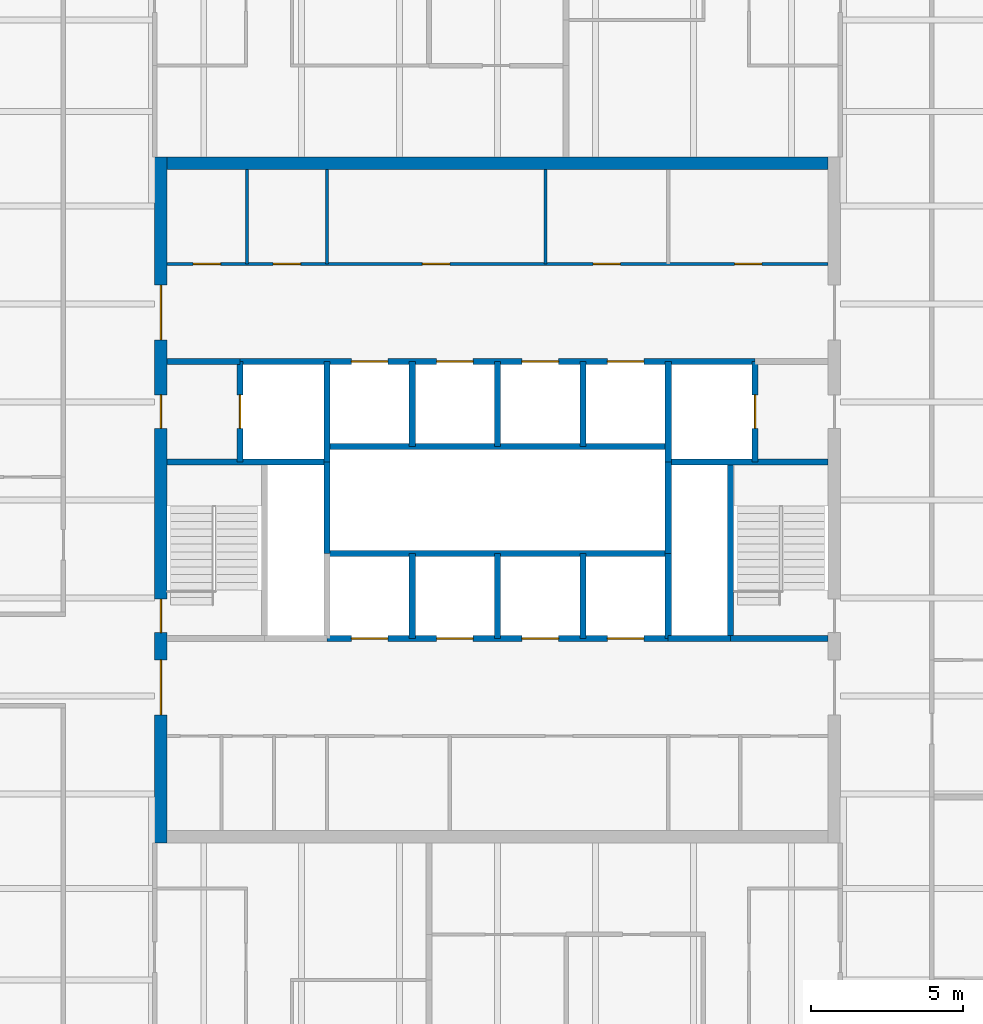
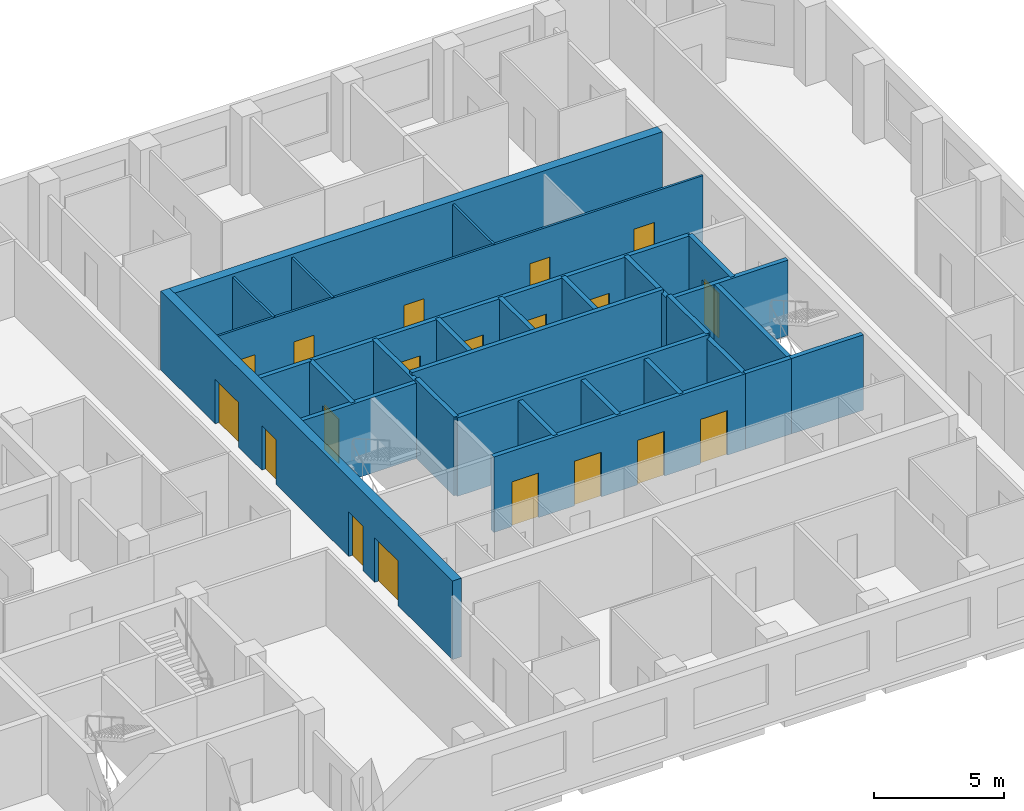
# One storey, part 6 of 10: 29 walls, 19 doors, 19 openings.
"""IFC4 building model written with IfcOpenShell, lengths in metres."""

from ifc_helpers import new_model, si_unit, direction, frame, frame_2d, origin, place, context, subcontext, project, spatial, rectangle, extrude, material, layer, layer_set, type_object, element, fill, save


model = new_model("IFC4")

# Units and contexts
model_context = context("Model", 3, precision=1e-05, world=origin(), true_north=direction((0.0, 1.0)))
body_context = subcontext(model_context, "Body", "Model", "MODEL_VIEW")
ifc_project = project(units=[si_unit("LENGTHUNIT", "METRE"), si_unit("AREAUNIT", "SQUARE_METRE"), si_unit("VOLUMEUNIT", "CUBIC_METRE"), si_unit("PLANEANGLEUNIT", "RADIAN"), si_unit("MASSUNIT", "GRAM", prefix="KILO")], contexts=[model_context])

# Site, building, storey
site_placement = place(None, origin())
site = spatial("IfcSite", under=ifc_project, at=site_placement, CompositionType="ELEMENT")
building_placement = place(site_placement, origin())
building = spatial("IfcBuilding", under=site, at=building_placement, Name="Quoin Convention Tower", CompositionType="ELEMENT")
storey_placement = place(building_placement, frame((0.0, 0.0, 195.800048828125)))
storey = spatial("IfcBuildingStorey", under=building, at=storey_placement, Name="L51", CompositionType="ELEMENT", Elevation=195.800048828125)

# Wall, openings, doors
ifc_material_1 = material(Name="Plasterboard")
ifc_layer_1 = layer(ifc_material_1, 0.012451171875, Name="Finish")
ifc_material_2 = material(Name="Steel stud framing", Category="steel")
ifc_layer_2 = layer(ifc_material_2, 0.074951171875, Name="Structure")
ifc_layer_3 = layer(ifc_material_1, 0.012451171875, Name="Finish")
ifc_layer_set_1 = layer_set([ifc_layer_1, ifc_layer_2, ifc_layer_3], Name="Steel stud framing")
wall_type_1 = type_object("IfcWallType", Name="Core partition wall", PredefinedType="PARTITIONING", material=ifc_layer_set_1)
wall_1_placement = place(storey_placement, frame((45.39990234375, 68.5, 0.0), z_axis=(0.0, 0.0, 1.0), x_axis=(1.0, 0.0, 0.0)))
wall_1 = element("IfcWall", 1, at=wall_1_placement, inside=storey, type_object=wall_type_1, Name="cr-C1-L51-h19000_400", PredefinedType="PARTITIONING", context=body_context, shape_type="SweptSolid", body=[
    extrude(rectangle(XDim=21.7001953125, YDim=0.10009765625, at=frame_2d((10.85009765625, 0.0))), origin(), (0.0, 0.0, 1.0), 3.550048828125),
])
opening_1_placement = place(wall_1_placement, frame((18.625, 0.0, 0.0)))
opening_1 = element("IfcOpeningElement", 2, at=opening_1_placement, cuts=wall_1, Name="Opening DCV5-15", PredefinedType="OPENING", context=body_context, shape_type="SweptSolid", body=[
    extrude(rectangle(XDim=0.89990234375, YDim=2.10009765625, at=frame_2d((0.449951171875, 1.050048828125))), frame((0.0, 0.06005859375, 0.0), z_axis=(0.0, -1.0, 0.0), x_axis=(1.0, 0.0, 0.0)), (0.0, 0.0, 1.0), 0.1201171875),
])
opening_2_placement = place(wall_1_placement, frame((0.862548828125, 0.0, 0.0)))
opening_2 = element("IfcOpeningElement", 3, at=opening_2_placement, cuts=wall_1, Name="Opening DCV5-08", PredefinedType="OPENING", context=body_context, shape_type="SweptSolid", body=[
    extrude(rectangle(XDim=0.89990234375, YDim=2.10009765625, at=frame_2d((0.449951171875, 1.050048828125))), frame((0.0, 0.06005859375, 0.0), z_axis=(0.0, -1.0, 0.0), x_axis=(1.0, 0.0, 0.0)), (0.0, 0.0, 1.0), 0.1201171875),
])
opening_3_placement = place(wall_1_placement, frame((3.487548828125, 0.0, 0.0)))
opening_3 = element("IfcOpeningElement", 4, at=opening_3_placement, cuts=wall_1, Name="Opening DCV5-09", PredefinedType="OPENING", context=body_context, shape_type="SweptSolid", body=[
    extrude(rectangle(XDim=0.89990234375, YDim=2.10009765625, at=frame_2d((0.449951171875, 1.050048828125))), frame((0.0, 0.06005859375, 0.0), z_axis=(0.0, -1.0, 0.0), x_axis=(1.0, 0.0, 0.0)), (0.0, 0.0, 1.0), 0.1201171875),
])
opening_4_placement = place(wall_1_placement, frame((13.98388671875, 0.0, 0.0)))
opening_4 = element("IfcOpeningElement", 5, at=opening_4_placement, cuts=wall_1, Name="Opening DCV5-13", PredefinedType="OPENING", context=body_context, shape_type="SweptSolid", body=[
    extrude(rectangle(XDim=0.89990234375, YDim=2.10009765625, at=frame_2d((0.449951171875, 1.050048828125))), frame((0.0, 0.06005859375, 0.0), z_axis=(0.0, -1.0, 0.0), x_axis=(1.0, 0.0, 0.0)), (0.0, 0.0, 1.0), 0.1201171875),
])
opening_5_placement = place(wall_1_placement, frame((8.384033203125, 0.0, 0.0)))
opening_5 = element("IfcOpeningElement", 6, at=opening_5_placement, cuts=wall_1, Name="Opening DCV5-11", PredefinedType="OPENING", context=body_context, shape_type="SweptSolid", body=[
    extrude(rectangle(XDim=0.89990234375, YDim=2.10009765625, at=frame_2d((0.449951171875, 1.050048828125))), frame((0.0, 0.06005859375, 0.0), z_axis=(0.0, -1.0, 0.0), x_axis=(1.0, 0.0, 0.0)), (0.0, 0.0, 1.0), 0.1201171875),
])
ifc_material_3 = material(Name="Steel door leaf", Category="steel")
door_type_1 = type_object("IfcDoorType", Name="Core room door 900 x 2100", OperationType="SINGLE_SWING_LEFT", PredefinedType="DOOR", material=ifc_material_3)
door_1_placement = place(opening_1_placement, origin())
door_1 = element("IfcDoor", 7, at=door_1_placement, inside=storey, type_object=door_type_1, Name="cd-C1-L51-CNE0-lobB-CD5107", OperationType="SINGLE_SWING_LEFT", OverallHeight=2.10009765625, OverallWidth=0.89990234375, PredefinedType="DOOR", context=body_context, shape_type="SweptSolid", body=[
    extrude(rectangle(XDim=0.89990234375, YDim=2.10009765625, at=frame_2d((0.449951171875, 1.050048828125))), frame((0.0, 0.02490234375, 0.0), z_axis=(0.0, -1.0, 0.0), x_axis=(1.0, 0.0, 0.0)), (0.0, 0.0, 1.0), 0.050048828125),
])
fill(opening_1, door_1)
door_2_placement = place(opening_2_placement, origin())
door_2 = element("IfcDoor", 8, at=door_2_placement, inside=storey, type_object=door_type_1, Name="cd-C1-L51-CNW0-lobB-CD5108", OperationType="SINGLE_SWING_RIGHT", OverallHeight=2.10009765625, OverallWidth=0.89990234375, PredefinedType="DOOR", context=body_context, shape_type="SweptSolid", body=[
    extrude(rectangle(XDim=0.89990234375, YDim=2.10009765625, at=frame_2d((0.449951171875, 1.050048828125))), frame((0.0, 0.02490234375, 0.0), z_axis=(0.0, -1.0, 0.0), x_axis=(1.0, 0.0, 0.0)), (0.0, 0.0, 1.0), 0.050048828125),
])
fill(opening_2, door_2)
door_3_placement = place(opening_3_placement, origin())
door_3 = element("IfcDoor", 9, at=door_3_placement, inside=storey, type_object=door_type_1, Name="cd-C1-L51-CNW1-lobB-CD5109", OperationType="SINGLE_SWING_RIGHT", OverallHeight=2.10009765625, OverallWidth=0.89990234375, PredefinedType="DOOR", context=body_context, shape_type="SweptSolid", body=[
    extrude(rectangle(XDim=0.89990234375, YDim=2.10009765625, at=frame_2d((0.449951171875, 1.050048828125))), frame((0.0, 0.02490234375, 0.0), z_axis=(0.0, -1.0, 0.0), x_axis=(1.0, 0.0, 0.0)), (0.0, 0.0, 1.0), 0.050048828125),
])
fill(opening_3, door_3)
door_4_placement = place(opening_4_placement, origin())
door_4 = element("IfcDoor", 10, at=door_4_placement, inside=storey, type_object=door_type_1, Name="cd-C1-L51-F40-lobB-CD5117", OperationType="SINGLE_SWING_RIGHT", OverallHeight=2.10009765625, OverallWidth=0.89990234375, PredefinedType="DOOR", context=body_context, shape_type="SweptSolid", body=[
    extrude(rectangle(XDim=0.89990234375, YDim=2.10009765625, at=frame_2d((0.449951171875, 1.050048828125))), frame((0.0, 0.02490234375, 0.0), z_axis=(0.0, -1.0, 0.0), x_axis=(1.0, 0.0, 0.0)), (0.0, 0.0, 1.0), 0.050048828125),
])
fill(opening_4, door_4)
door_5_placement = place(opening_5_placement, origin())
door_5 = element("IfcDoor", 11, at=door_5_placement, inside=storey, type_object=door_type_1, Name="cd-C1-L51-F41-lobB-CD5118", OperationType="SINGLE_SWING_RIGHT", OverallHeight=2.10009765625, OverallWidth=0.89990234375, PredefinedType="DOOR", context=body_context, shape_type="SweptSolid", body=[
    extrude(rectangle(XDim=0.89990234375, YDim=2.10009765625, at=frame_2d((0.449951171875, 1.050048828125))), frame((0.0, 0.02490234375, 0.0), z_axis=(0.0, -1.0, 0.0), x_axis=(1.0, 0.0, 0.0)), (0.0, 0.0, 1.0), 0.050048828125),
])
fill(opening_5, door_5)

# Walls
for number, where, z_axis, x_axis, name in (
    (12, (48.02490234375, 68.5, 0.0), (0.0, 0.0, 1.0), (0.0, 1.0, 0.0), "cr-C1-L51-v3025_19000"),
    (13, (50.64990234375, 68.5, 0.0), (0.0, 0.0, 1.0), (0.0, 1.0, 0.0), "cr-C1-L51-v5650_19000"),
    (14, (57.818115234375, 68.5, 0.0), (0.0, 0.0, 1.0), (0.0, 1.0, 0.0), "cr-C1-L51-v12818_19000"),
):
    element("IfcWall", number, at=place(storey_placement, frame(where, z_axis=z_axis, x_axis=x_axis)), inside=storey, type_object=wall_type_1, Name=name, PredefinedType="PARTITIONING", context=body_context, shape_type="SweptSolid", body=[
        extrude(rectangle(XDim=3.10009765625, YDim=0.10009765625, at=frame_2d((1.550048828125, 0.0))), origin(), (0.0, 0.0, 1.0), 3.550048828125),
    ])
ifc_material_4 = material(Name="Concrete C50", Category="concrete")
ifc_layer_4 = layer(ifc_material_4, 0.199951171875)
ifc_layer_set_2 = layer_set([ifc_layer_4], Name="Concrete C50")
wall_type_2 = type_object("IfcWallType", Name="Core shaft wall", PredefinedType="SOLIDWALL", material=ifc_layer_set_2)
wall_2_placement = place(storey_placement, frame((61.85009765625, 56.199951171875, 0.0), z_axis=(0.0, 0.0, 1.0), x_axis=(1.0, 0.0, 0.0)))
element("IfcWall", 15, at=wall_2_placement, inside=storey, type_object=wall_type_2, Name="cr-C1-L51-h6700_16850", PredefinedType="SOLIDWALL", context=body_context, shape_type="SweptSolid", body=[
    extrude(rectangle(XDim=2.0498046875, YDim=0.199951171875, at=frame_2d((1.02490234375, 0.0))), origin(), (0.0, 0.0, 1.0), 3.550048828125),
])

# Wall, openings, doors
wall_3_placement = place(storey_placement, frame((50.64990234375, 56.199951171875, 0.0), z_axis=(0.0, 0.0, 1.0), x_axis=(1.0, 0.0, 0.0)))
wall_3 = element("IfcWall", 16, at=wall_3_placement, inside=storey, type_object=wall_type_2, Name="cr-C1-L51-h6700_5650", PredefinedType="SOLIDWALL", context=body_context, shape_type="SweptSolid", body=[
    extrude(rectangle(XDim=11.2001953125, YDim=0.199951171875, at=frame_2d((5.60009765625, 0.0))), origin(), (0.0, 0.0, 1.0), 3.550048828125),
])
opening_6_placement = place(wall_3_placement, frame((0.800048828125, 0.0, 0.0)))
opening_6 = element("IfcOpeningElement", 17, at=opening_6_placement, cuts=wall_3, Name="Opening LDH1", PredefinedType="OPENING", context=body_context, shape_type="SweptSolid", body=[
    extrude(rectangle(XDim=1.199951171875, YDim=2.10009765625, at=frame_2d((0.60009765625, 1.050048828125))), frame((0.0, 0.10986328125, 0.0), z_axis=(0.0, -1.0, 0.0), x_axis=(1.0, 0.0, 0.0)), (0.0, 0.0, 1.0), 0.219970703125),
])
opening_7_placement = place(wall_3_placement, frame((3.60009765625, 0.0, 0.0)))
opening_7 = element("IfcOpeningElement", 18, at=opening_7_placement, cuts=wall_3, Name="Opening LDH2", PredefinedType="OPENING", context=body_context, shape_type="SweptSolid", body=[
    extrude(rectangle(XDim=1.199951171875, YDim=2.10009765625, at=frame_2d((0.60009765625, 1.050048828125))), frame((0.0, 0.10986328125, 0.0), z_axis=(0.0, -1.0, 0.0), x_axis=(1.0, 0.0, 0.0)), (0.0, 0.0, 1.0), 0.219970703125),
])
opening_8_placement = place(wall_3_placement, frame((6.39990234375, 0.0, 0.0)))
opening_8 = element("IfcOpeningElement", 19, at=opening_8_placement, cuts=wall_3, Name="Opening LDH3", PredefinedType="OPENING", context=body_context, shape_type="SweptSolid", body=[
    extrude(rectangle(XDim=1.199951171875, YDim=2.10009765625, at=frame_2d((0.60009765625, 1.050048828125))), frame((0.0, 0.10986328125, 0.0), z_axis=(0.0, -1.0, 0.0), x_axis=(1.0, 0.0, 0.0)), (0.0, 0.0, 1.0), 0.219970703125),
])
opening_9_placement = place(wall_3_placement, frame((9.199951171875, 0.0, 0.0)))
opening_9 = element("IfcOpeningElement", 20, at=opening_9_placement, cuts=wall_3, Name="Opening LDH4", PredefinedType="OPENING", context=body_context, shape_type="SweptSolid", body=[
    extrude(rectangle(XDim=1.199951171875, YDim=2.10009765625, at=frame_2d((0.60009765625, 1.050048828125))), frame((0.0, 0.10986328125, 0.0), z_axis=(0.0, -1.0, 0.0), x_axis=(1.0, 0.0, 0.0)), (0.0, 0.0, 1.0), 0.219970703125),
])
door_type_2 = type_object("IfcDoorType", Name="Lift landing door 1200 x 2100", OperationType="DOUBLE_DOOR_SLIDING", PredefinedType="DOOR", material=ifc_material_3)
door_6_placement = place(opening_6_placement, origin())
door_6 = element("IfcDoor", 21, at=door_6_placement, inside=storey, type_object=door_type_2, Name="cd-C1-L51-R20-lobA-LDH1", OperationType="DOUBLE_DOOR_SLIDING", OverallHeight=2.10009765625, OverallWidth=1.199951171875, PredefinedType="DOOR", context=body_context, shape_type="SweptSolid", body=[
    extrude(rectangle(XDim=1.199951171875, YDim=2.10009765625, at=frame_2d((0.60009765625, 1.050048828125))), frame((0.0, 0.02490234375, 0.0), z_axis=(0.0, -1.0, 0.0), x_axis=(1.0, 0.0, 0.0)), (0.0, 0.0, 1.0), 0.050048828125),
])
fill(opening_6, door_6)
door_7_placement = place(opening_7_placement, origin())
door_7 = element("IfcDoor", 22, at=door_7_placement, inside=storey, type_object=door_type_2, Name="cd-C1-L51-R21-lobA-LDH2", OperationType="DOUBLE_DOOR_SLIDING", OverallHeight=2.10009765625, OverallWidth=1.199951171875, PredefinedType="DOOR", context=body_context, shape_type="SweptSolid", body=[
    extrude(rectangle(XDim=1.199951171875, YDim=2.10009765625, at=frame_2d((0.60009765625, 1.050048828125))), frame((0.0, 0.02490234375, 0.0), z_axis=(0.0, -1.0, 0.0), x_axis=(1.0, 0.0, 0.0)), (0.0, 0.0, 1.0), 0.050048828125),
])
fill(opening_7, door_7)
door_8_placement = place(opening_8_placement, origin())
door_8 = element("IfcDoor", 23, at=door_8_placement, inside=storey, type_object=door_type_2, Name="cd-C1-L51-R22-lobA-LDH3", OperationType="DOUBLE_DOOR_SLIDING", OverallHeight=2.10009765625, OverallWidth=1.199951171875, PredefinedType="DOOR", context=body_context, shape_type="SweptSolid", body=[
    extrude(rectangle(XDim=1.199951171875, YDim=2.10009765625, at=frame_2d((0.60009765625, 1.050048828125))), frame((0.0, 0.02490234375, 0.0), z_axis=(0.0, -1.0, 0.0), x_axis=(1.0, 0.0, 0.0)), (0.0, 0.0, 1.0), 0.050048828125),
])
fill(opening_8, door_8)
door_9_placement = place(opening_9_placement, origin())
door_9 = element("IfcDoor", 24, at=door_9_placement, inside=storey, type_object=door_type_2, Name="cd-C1-L51-R23-lobA-LDH4", OperationType="DOUBLE_DOOR_SLIDING", OverallHeight=2.10009765625, OverallWidth=1.199951171875, PredefinedType="DOOR", context=body_context, shape_type="SweptSolid", body=[
    extrude(rectangle(XDim=1.199951171875, YDim=2.10009765625, at=frame_2d((0.60009765625, 1.050048828125))), frame((0.0, 0.02490234375, 0.0), z_axis=(0.0, -1.0, 0.0), x_axis=(1.0, 0.0, 0.0)), (0.0, 0.0, 1.0), 0.050048828125),
])
fill(opening_9, door_9)

# Walls
wall_4_placement = place(storey_placement, frame((63.89990234375, 56.199951171875, 0.0), z_axis=(0.0, 0.0, 1.0), x_axis=(1.0, 0.0, 0.0)))
element("IfcWall", 25, at=wall_4_placement, inside=storey, type_object=wall_type_2, Name="cr-C1-L51-h6700_18900", PredefinedType="SOLIDWALL", context=body_context, shape_type="SweptSolid", body=[
    extrude(rectangle(XDim=3.2001953125, YDim=0.199951171875, at=frame_2d((1.60009765625, 0.0))), origin(), (0.0, 0.0, 1.0), 3.550048828125),
])
for number, where, z_axis, x_axis, name in (
    (26, (45.39990234375, 62.0, 0.0), (0.0, 0.0, 1.0), (1.0, 0.0, 0.0), "cr-C1-L51-h12500_400"),
    (27, (61.85009765625, 62.0, 0.0), (0.0, 0.0, 1.0), (1.0, 0.0, 0.0), "cr-C1-L51-h12500_16850"),
):
    element("IfcWall", number, at=place(storey_placement, frame(where, z_axis=z_axis, x_axis=x_axis)), inside=storey, type_object=wall_type_2, Name=name, PredefinedType="SOLIDWALL", context=body_context, shape_type="SweptSolid", body=[
        extrude(rectangle(XDim=5.25, YDim=0.199951171875, at=frame_2d((2.625, 0.0))), origin(), (0.0, 0.0, 1.0), 3.550048828125),
    ])
wall_5_placement = place(storey_placement, frame((45.39990234375, 65.300048828125, 0.0), z_axis=(0.0, 0.0, 1.0), x_axis=(1.0, 0.0, 0.0)))
element("IfcWall", 28, at=wall_5_placement, inside=storey, type_object=wall_type_2, Name="cr-C1-L51-h15800_400", PredefinedType="SOLIDWALL", context=body_context, shape_type="SweptSolid", body=[
    extrude(rectangle(XDim=2.400146484375, YDim=0.199951171875, at=frame_2d((1.2001953125, 0.0))), origin(), (0.0, 0.0, 1.0), 3.550048828125),
])

# Wall, openings, doors
wall_6_placement = place(storey_placement, frame((47.800048828125, 65.300048828125, 0.0), z_axis=(0.0, 0.0, 1.0), x_axis=(1.0, 0.0, 0.0)))
wall_6 = element("IfcWall", 29, at=wall_6_placement, inside=storey, type_object=wall_type_2, Name="cr-C1-L51-h15800_2800", PredefinedType="SOLIDWALL", context=body_context, shape_type="SweptSolid", body=[
    extrude(rectangle(XDim=16.89990234375, YDim=0.199951171875, at=frame_2d((8.449951171875, 0.0))), origin(), (0.0, 0.0, 1.0), 3.550048828125),
])
opening_10_placement = place(wall_6_placement, frame((3.64990234375, 0.0, 0.0)))
opening_10 = element("IfcOpeningElement", 30, at=opening_10_placement, cuts=wall_6, Name="Opening LDH5", PredefinedType="OPENING", context=body_context, shape_type="SweptSolid", body=[
    extrude(rectangle(XDim=1.199951171875, YDim=2.10009765625, at=frame_2d((0.60009765625, 1.050048828125))), frame((0.0, 0.10986328125, 0.0), z_axis=(0.0, -1.0, 0.0), x_axis=(1.0, 0.0, 0.0)), (0.0, 0.0, 1.0), 0.219970703125),
])
opening_11_placement = place(wall_6_placement, frame((6.449951171875, 0.0, 0.0)))
opening_11 = element("IfcOpeningElement", 31, at=opening_11_placement, cuts=wall_6, Name="Opening LDH6", PredefinedType="OPENING", context=body_context, shape_type="SweptSolid", body=[
    extrude(rectangle(XDim=1.199951171875, YDim=2.10009765625, at=frame_2d((0.60009765625, 1.050048828125))), frame((0.0, 0.10986328125, 0.0), z_axis=(0.0, -1.0, 0.0), x_axis=(1.0, 0.0, 0.0)), (0.0, 0.0, 1.0), 0.219970703125),
])
opening_12_placement = place(wall_6_placement, frame((9.25, 0.0, 0.0)))
opening_12 = element("IfcOpeningElement", 32, at=opening_12_placement, cuts=wall_6, Name="Opening LDH7", PredefinedType="OPENING", context=body_context, shape_type="SweptSolid", body=[
    extrude(rectangle(XDim=1.199951171875, YDim=2.10009765625, at=frame_2d((0.60009765625, 1.050048828125))), frame((0.0, 0.10986328125, 0.0), z_axis=(0.0, -1.0, 0.0), x_axis=(1.0, 0.0, 0.0)), (0.0, 0.0, 1.0), 0.219970703125),
])
opening_13_placement = place(wall_6_placement, frame((12.050048828125, 0.0, 0.0)))
opening_13 = element("IfcOpeningElement", 33, at=opening_13_placement, cuts=wall_6, Name="Opening LDH8", PredefinedType="OPENING", context=body_context, shape_type="SweptSolid", body=[
    extrude(rectangle(XDim=1.199951171875, YDim=2.10009765625, at=frame_2d((0.60009765625, 1.050048828125))), frame((0.0, 0.10986328125, 0.0), z_axis=(0.0, -1.0, 0.0), x_axis=(1.0, 0.0, 0.0)), (0.0, 0.0, 1.0), 0.219970703125),
])
door_10_placement = place(opening_10_placement, origin())
door_10 = element("IfcDoor", 34, at=door_10_placement, inside=storey, type_object=door_type_2, Name="cd-C1-L51-R30-lobB-LDH5", OperationType="DOUBLE_DOOR_SLIDING", OverallHeight=2.10009765625, OverallWidth=1.199951171875, PredefinedType="DOOR", context=body_context, shape_type="SweptSolid", body=[
    extrude(rectangle(XDim=1.199951171875, YDim=2.10009765625, at=frame_2d((0.60009765625, 1.050048828125))), frame((0.0, 0.02490234375, 0.0), z_axis=(0.0, -1.0, 0.0), x_axis=(1.0, 0.0, 0.0)), (0.0, 0.0, 1.0), 0.050048828125),
])
fill(opening_10, door_10)
door_11_placement = place(opening_11_placement, origin())
door_11 = element("IfcDoor", 35, at=door_11_placement, inside=storey, type_object=door_type_2, Name="cd-C1-L51-R31-lobB-LDH6", OperationType="DOUBLE_DOOR_SLIDING", OverallHeight=2.10009765625, OverallWidth=1.199951171875, PredefinedType="DOOR", context=body_context, shape_type="SweptSolid", body=[
    extrude(rectangle(XDim=1.199951171875, YDim=2.10009765625, at=frame_2d((0.60009765625, 1.050048828125))), frame((0.0, 0.02490234375, 0.0), z_axis=(0.0, -1.0, 0.0), x_axis=(1.0, 0.0, 0.0)), (0.0, 0.0, 1.0), 0.050048828125),
])
fill(opening_11, door_11)
door_12_placement = place(opening_12_placement, origin())
door_12 = element("IfcDoor", 36, at=door_12_placement, inside=storey, type_object=door_type_2, Name="cd-C1-L51-R32-lobB-LDH7", OperationType="DOUBLE_DOOR_SLIDING", OverallHeight=2.10009765625, OverallWidth=1.199951171875, PredefinedType="DOOR", context=body_context, shape_type="SweptSolid", body=[
    extrude(rectangle(XDim=1.199951171875, YDim=2.10009765625, at=frame_2d((0.60009765625, 1.050048828125))), frame((0.0, 0.02490234375, 0.0), z_axis=(0.0, -1.0, 0.0), x_axis=(1.0, 0.0, 0.0)), (0.0, 0.0, 1.0), 0.050048828125),
])
fill(opening_12, door_12)
door_13_placement = place(opening_13_placement, origin())
door_13 = element("IfcDoor", 37, at=door_13_placement, inside=storey, type_object=door_type_2, Name="cd-C1-L51-R33-lobB-LDH8", OperationType="DOUBLE_DOOR_SLIDING", OverallHeight=2.10009765625, OverallWidth=1.199951171875, PredefinedType="DOOR", context=body_context, shape_type="SweptSolid", body=[
    extrude(rectangle(XDim=1.199951171875, YDim=2.10009765625, at=frame_2d((0.60009765625, 1.050048828125))), frame((0.0, 0.02490234375, 0.0), z_axis=(0.0, -1.0, 0.0), x_axis=(1.0, 0.0, 0.0)), (0.0, 0.0, 1.0), 0.050048828125),
])
fill(opening_13, door_13)

# Wall, opening, door
wall_7_placement = place(storey_placement, frame((47.800048828125, 62.0, 0.0), z_axis=(0.0, 0.0, 1.0), x_axis=(0.0, 1.0, 0.0)))
wall_7 = element("IfcWall", 38, at=wall_7_placement, inside=storey, type_object=wall_type_2, Name="cr-C1-L51-v2800_12500", PredefinedType="SOLIDWALL", context=body_context, shape_type="SweptSolid", body=[
    extrude(rectangle(XDim=3.300048828125, YDim=0.199951171875, at=frame_2d((1.64990234375, 0.0))), origin(), (0.0, 0.0, 1.0), 3.550048828125),
])
opening_14_placement = place(wall_7_placement, frame((1.10009765625, 0.0, 0.0)))
opening_14 = element("IfcOpeningElement", 39, at=opening_14_placement, cuts=wall_7, Name="Opening LDFL1", PredefinedType="OPENING", context=body_context, shape_type="SweptSolid", body=[
    extrude(rectangle(XDim=1.10009765625, YDim=2.10009765625, at=frame_2d((0.550048828125, 1.050048828125))), frame((0.0, 0.10986328125, 0.0), z_axis=(0.0, -1.0, 0.0), x_axis=(1.0, 0.0, 0.0)), (0.0, 0.0, 1.0), 0.219970703125),
])
door_type_3 = type_object("IfcDoorType", Name="Lift landing door 1100 x 2100", OperationType="DOUBLE_DOOR_SLIDING", PredefinedType="DOOR", material=ifc_material_3)
door_14_placement = place(opening_14_placement, origin())
door_14 = element("IfcDoor", 40, at=door_14_placement, inside=storey, type_object=door_type_3, Name="cd-C1-L51-FLW-FFW-LDFL1", OperationType="DOUBLE_DOOR_SLIDING", OverallHeight=2.10009765625, OverallWidth=1.10009765625, PredefinedType="DOOR", context=body_context, shape_type="SweptSolid", body=[
    extrude(rectangle(XDim=1.10009765625, YDim=2.10009765625, at=frame_2d((0.550048828125, 1.050048828125))), frame((0.0, 0.02490234375, 0.0), z_axis=(0.0, -1.0, 0.0), x_axis=(1.0, 0.0, 0.0)), (0.0, 0.0, 1.0), 0.050048828125),
])
fill(opening_14, door_14)

# Walls
wall_8_placement = place(storey_placement, frame((50.64990234375, 62.0, 0.0), z_axis=(0.0, 0.0, 1.0), x_axis=(0.0, 1.0, 0.0)))
element("IfcWall", 41, at=wall_8_placement, inside=storey, type_object=wall_type_2, Name="cr-C1-L51-v5650_12500", PredefinedType="SOLIDWALL", context=body_context, shape_type="SweptSolid", body=[
    extrude(rectangle(XDim=3.300048828125, YDim=0.199951171875, at=frame_2d((1.64990234375, 0.0))), origin(), (0.0, 0.0, 1.0), 3.550048828125),
])
for number, where, z_axis, x_axis, name in (
    (42, (53.449951171875, 56.199951171875, 0.0), (0.0, 0.0, 1.0), (0.0, 1.0, 0.0), "cr-C1-L51-v8450_6700"),
    (43, (53.449951171875, 62.5, 0.0), (0.0, 0.0, 1.0), (0.0, 1.0, 0.0), "cr-C1-L51-v8450_13000"),
    (44, (56.25, 56.199951171875, 0.0), (0.0, 0.0, 1.0), (0.0, 1.0, 0.0), "cr-C1-L51-v11250_6700"),
    (45, (56.25, 62.5, 0.0), (0.0, 0.0, 1.0), (0.0, 1.0, 0.0), "cr-C1-L51-v11250_13000"),
    (46, (59.050048828125, 56.199951171875, 0.0), (0.0, 0.0, 1.0), (0.0, 1.0, 0.0), "cr-C1-L51-v14050_6700"),
    (47, (59.050048828125, 62.5, 0.0), (0.0, 0.0, 1.0), (0.0, 1.0, 0.0), "cr-C1-L51-v14050_13000"),
    (48, (61.85009765625, 56.199951171875, 0.0), (0.0, 0.0, 1.0), (0.0, 1.0, 0.0), "cr-C1-L51-v16850_6700"),
):
    element("IfcWall", number, at=place(storey_placement, frame(where, z_axis=z_axis, x_axis=x_axis)), inside=storey, type_object=wall_type_2, Name=name, PredefinedType="SOLIDWALL", context=body_context, shape_type="SweptSolid", body=[
        extrude(rectangle(XDim=2.800048828125, YDim=0.199951171875, at=frame_2d((1.39990234375, 0.0))), origin(), (0.0, 0.0, 1.0), 3.550048828125),
    ])
wall_9_placement = place(storey_placement, frame((61.85009765625, 62.0, 0.0), z_axis=(0.0, 0.0, 1.0), x_axis=(0.0, 1.0, 0.0)))
element("IfcWall", 49, at=wall_9_placement, inside=storey, type_object=wall_type_2, Name="cr-C1-L51-v16850_12500", PredefinedType="SOLIDWALL", context=body_context, shape_type="SweptSolid", body=[
    extrude(rectangle(XDim=3.300048828125, YDim=0.199951171875, at=frame_2d((1.64990234375, 0.0))), origin(), (0.0, 0.0, 1.0), 3.550048828125),
])
wall_10_placement = place(storey_placement, frame((63.89990234375, 56.199951171875, 0.0), z_axis=(0.0, 0.0, 1.0), x_axis=(0.0, 1.0, 0.0)))
element("IfcWall", 50, at=wall_10_placement, inside=storey, type_object=wall_type_2, Name="cr-C1-L51-v18900_6700", PredefinedType="SOLIDWALL", context=body_context, shape_type="SweptSolid", body=[
    extrude(rectangle(XDim=5.800048828125, YDim=0.199951171875, at=frame_2d((2.89990234375, 0.0))), origin(), (0.0, 0.0, 1.0), 3.550048828125),
])

# Wall, opening, door
wall_11_placement = place(storey_placement, frame((64.699951171875, 62.0, 0.0), z_axis=(0.0, 0.0, 1.0), x_axis=(0.0, 1.0, 0.0)))
wall_11 = element("IfcWall", 51, at=wall_11_placement, inside=storey, type_object=wall_type_2, Name="cr-C1-L51-v19700_12500", PredefinedType="SOLIDWALL", context=body_context, shape_type="SweptSolid", body=[
    extrude(rectangle(XDim=3.300048828125, YDim=0.199951171875, at=frame_2d((1.64990234375, 0.0))), origin(), (0.0, 0.0, 1.0), 3.550048828125),
])
opening_15_placement = place(wall_11_placement, frame((1.10009765625, 0.0, 0.0)))
opening_15 = element("IfcOpeningElement", 52, at=opening_15_placement, cuts=wall_11, Name="Opening LDFL2", PredefinedType="OPENING", context=body_context, shape_type="SweptSolid", body=[
    extrude(rectangle(XDim=1.10009765625, YDim=2.10009765625, at=frame_2d((0.550048828125, 1.050048828125))), frame((0.0, 0.10986328125, 0.0), z_axis=(0.0, -1.0, 0.0), x_axis=(1.0, 0.0, 0.0)), (0.0, 0.0, 1.0), 0.219970703125),
])
door_15_placement = place(opening_15_placement, origin())
door_15 = element("IfcDoor", 53, at=door_15_placement, inside=storey, type_object=door_type_3, Name="cd-C1-L51-FLE-FFE-LDFL2", OperationType="DOUBLE_DOOR_SLIDING", OverallHeight=2.10009765625, OverallWidth=1.10009765625, PredefinedType="DOOR", context=body_context, shape_type="SweptSolid", body=[
    extrude(rectangle(XDim=1.10009765625, YDim=2.10009765625, at=frame_2d((0.550048828125, 1.050048828125))), frame((0.0, 0.02490234375, 0.0), z_axis=(0.0, -1.0, 0.0), x_axis=(1.0, 0.0, 0.0)), (0.0, 0.0, 1.0), 0.050048828125),
])
fill(opening_15, door_15)

# Walls
ifc_layer_5 = layer(ifc_material_4, 0.199951171875)
ifc_layer_set_3 = layer_set([ifc_layer_5], Name="Concrete C50")
wall_type_3 = type_object("IfcWallType", Name="Core shaft wall to the floor level over", PredefinedType="SOLIDWALL", material=ifc_layer_set_3)
for number, where, z_axis, x_axis, name in (
    (54, (50.64990234375, 59.0, 0.0), (0.0, 0.0, 1.0), (1.0, 0.0, 0.0), "cr-C1-L51-h9500_5650"),
    (55, (50.64990234375, 62.5, 0.0), (0.0, 0.0, 1.0), (1.0, 0.0, 0.0), "cr-C1-L51-h13000_5650"),
):
    element("IfcWall", number, at=place(storey_placement, frame(where, z_axis=z_axis, x_axis=x_axis)), inside=storey, type_object=wall_type_3, Name=name, PredefinedType="SOLIDWALL", context=body_context, shape_type="SweptSolid", body=[
        extrude(rectangle(XDim=11.2001953125, YDim=0.199951171875, at=frame_2d((5.60009765625, 0.0))), origin(), (0.0, 0.0, 1.0), 3.699951171875),
    ])
for number, where, z_axis, x_axis, name in (
    (56, (50.64990234375, 59.0, 0.0), (0.0, 0.0, 1.0), (0.0, 1.0, 0.0), "cr-C1-L51-v5650_9500"),
    (57, (61.85009765625, 59.0, 0.0), (0.0, 0.0, 1.0), (0.0, 1.0, 0.0), "cr-C1-L51-v16850_9500"),
):
    element("IfcWall", number, at=place(storey_placement, frame(where, z_axis=z_axis, x_axis=x_axis)), inside=storey, type_object=wall_type_3, Name=name, PredefinedType="SOLIDWALL", context=body_context, shape_type="SweptSolid", body=[
        extrude(rectangle(XDim=3.0, YDim=0.199951171875, at=frame_2d((1.5, 0.0))), origin(), (0.0, 0.0, 1.0), 3.699951171875),
    ])
ifc_layer_6 = layer(ifc_material_4, 0.39990234375)
ifc_layer_set_4 = layer_set([ifc_layer_6], Name="Concrete C50")
wall_type_4 = type_object("IfcWallType", Name="RC CORE WALL 400 C50", PredefinedType="SHEAR", material=ifc_layer_set_4)
wall_12_placement = place(storey_placement, frame((45.39990234375, 71.800048828125, 0.0), z_axis=(0.0, 0.0, 1.0), x_axis=(1.0, 0.0, 0.0)))
element("IfcWall", 58, at=wall_12_placement, inside=storey, type_object=wall_type_4, Name="cwl-C1-L51-N", PredefinedType="SHEAR", context=body_context, shape_type="SweptSolid", body=[
    extrude(rectangle(XDim=21.7001953125, YDim=0.39990234375, at=frame_2d((10.85009765625, 0.0))), origin(), (0.0, 0.0, 1.0), 3.699951171875),
])

# Wall, openings, doors
wall_13_placement = place(storey_placement, frame((45.199951171875, 49.5, 0.0), z_axis=(0.0, 0.0, 1.0), x_axis=(0.0, 1.0, 0.0)))
wall_13 = element("IfcWall", 59, at=wall_13_placement, inside=storey, type_object=wall_type_4, Name="cwl-C1-L51-W", PredefinedType="SHEAR", context=body_context, shape_type="SweptSolid", body=[
    extrude(rectangle(XDim=22.5, YDim=0.39990234375, at=frame_2d((11.25, 0.0))), origin(), (0.0, 0.0, 1.0), 3.699951171875),
])
opening_16_placement = place(wall_13_placement, frame((4.199951171875, 0.0, 0.0)))
opening_16 = element("IfcOpeningElement", 60, at=opening_16_placement, cuts=wall_13, Name="Opening DCV5-50", PredefinedType="OPENING", context=body_context, shape_type="SweptSolid", body=[
    extrude(rectangle(XDim=1.800048828125, YDim=2.10009765625, at=frame_2d((0.89990234375, 1.050048828125))), frame((0.0, 0.2099609375, 0.0), z_axis=(0.0, -1.0, 0.0), x_axis=(1.0, 0.0, 0.0)), (0.0, 0.0, 1.0), 0.419921875),
])
opening_17_placement = place(wall_13_placement, frame((6.89990234375, 0.0, 0.0)))
opening_17 = element("IfcOpeningElement", 61, at=opening_17_placement, cuts=wall_13, Name="Opening SD1", PredefinedType="OPENING", context=body_context, shape_type="SweptSolid", body=[
    extrude(rectangle(XDim=1.10009765625, YDim=2.10009765625, at=frame_2d((0.550048828125, 1.050048828125))), frame((0.0, 0.2099609375, 0.0), z_axis=(0.0, -1.0, 0.0), x_axis=(1.0, 0.0, 0.0)), (0.0, 0.0, 1.0), 0.419921875),
])
opening_18_placement = place(wall_13_placement, frame((13.60009765625, 0.0, 0.0)))
opening_18 = element("IfcOpeningElement", 62, at=opening_18_placement, cuts=wall_13, Name="Opening DCV5-49", PredefinedType="OPENING", context=body_context, shape_type="SweptSolid", body=[
    extrude(rectangle(XDim=1.10009765625, YDim=2.10009765625, at=frame_2d((0.550048828125, 1.050048828125))), frame((0.0, 0.2099609375, 0.0), z_axis=(0.0, -1.0, 0.0), x_axis=(1.0, 0.0, 0.0)), (0.0, 0.0, 1.0), 0.419921875),
])
opening_19_placement = place(wall_13_placement, frame((16.5, 0.0, 0.0)))
opening_19 = element("IfcOpeningElement", 63, at=opening_19_placement, cuts=wall_13, Name="Opening DCV5-50", PredefinedType="OPENING", context=body_context, shape_type="SweptSolid", body=[
    extrude(rectangle(XDim=1.800048828125, YDim=2.10009765625, at=frame_2d((0.89990234375, 1.050048828125))), frame((0.0, 0.2099609375, 0.0), z_axis=(0.0, -1.0, 0.0), x_axis=(1.0, 0.0, 0.0)), (0.0, 0.0, 1.0), 0.419921875),
])
door_type_4 = type_object("IfcDoorType", Name="Fire-fighting lobby door 1100 x 2100", OperationType="SINGLE_SWING_LEFT", PredefinedType="DOOR", material=ifc_material_3)
door_16_placement = place(opening_18_placement, frame((1.10009765625, 0.0, 0.0), z_axis=(0.0, 0.0, 1.0), x_axis=(-1.0, 0.0, 0.0)))
door_16 = element("IfcDoor", 64, at=door_16_placement, inside=storey, type_object=door_type_4, Name="cd-C1-L51-FFW-W", OperationType="SINGLE_SWING_LEFT", OverallHeight=2.10009765625, OverallWidth=1.10009765625, PredefinedType="DOOR", context=body_context, shape_type="SweptSolid", body=[
    extrude(rectangle(XDim=1.10009765625, YDim=2.10009765625, at=frame_2d((0.550048828125, 1.050048828125))), frame((0.0, 0.02490234375, 0.0), z_axis=(0.0, -1.0, 0.0), x_axis=(1.0, 0.0, 0.0)), (0.0, 0.0, 1.0), 0.050048828125),
])
fill(opening_18, door_16)
door_type_5 = type_object("IfcDoorType", Name="Lift lobby door 1800 x 2100", OperationType="SINGLE_SWING_LEFT", PredefinedType="DOOR", material=ifc_material_3)
door_17_placement = place(opening_16_placement, frame((1.800048828125, 0.0, 0.0), z_axis=(0.0, 0.0, 1.0), x_axis=(-1.0, 0.0, 0.0)))
door_17 = element("IfcDoor", 65, at=door_17_placement, inside=storey, type_object=door_type_5, Name="cd-C1-L51-lobA-W", OperationType="SINGLE_SWING_LEFT", OverallHeight=2.10009765625, OverallWidth=1.800048828125, PredefinedType="DOOR", context=body_context, shape_type="SweptSolid", body=[
    extrude(rectangle(XDim=1.800048828125, YDim=2.10009765625, at=frame_2d((0.89990234375, 1.050048828125))), frame((0.0, 0.02490234375, 0.0), z_axis=(0.0, -1.0, 0.0), x_axis=(1.0, 0.0, 0.0)), (0.0, 0.0, 1.0), 0.050048828125),
])
fill(opening_16, door_17)
door_18_placement = place(opening_19_placement, frame((1.800048828125, 0.0, 0.0), z_axis=(0.0, 0.0, 1.0), x_axis=(-1.0, 0.0, 0.0)))
door_18 = element("IfcDoor", 66, at=door_18_placement, inside=storey, type_object=door_type_5, Name="cd-C1-L51-lobB-W", OperationType="SINGLE_SWING_LEFT", OverallHeight=2.10009765625, OverallWidth=1.800048828125, PredefinedType="DOOR", context=body_context, shape_type="SweptSolid", body=[
    extrude(rectangle(XDim=1.800048828125, YDim=2.10009765625, at=frame_2d((0.89990234375, 1.050048828125))), frame((0.0, 0.02490234375, 0.0), z_axis=(0.0, -1.0, 0.0), x_axis=(1.0, 0.0, 0.0)), (0.0, 0.0, 1.0), 0.050048828125),
])
fill(opening_19, door_18)
door_type_6 = type_object("IfcDoorType", Name="Stair door 1100 x 2100", OperationType="SINGLE_SWING_RIGHT", PredefinedType="DOOR", material=ifc_material_3)
door_19_placement = place(opening_17_placement, frame((1.10009765625, 0.0, 0.0), z_axis=(0.0, 0.0, 1.0), x_axis=(-1.0, 0.0, 0.0)))
door_19 = element("IfcDoor", 67, at=door_19_placement, inside=storey, type_object=door_type_6, Name="cd-C1-L51-STW-W", OperationType="SINGLE_SWING_RIGHT", OverallHeight=2.10009765625, OverallWidth=1.10009765625, PredefinedType="DOOR", context=body_context, shape_type="SweptSolid", body=[
    extrude(rectangle(XDim=1.10009765625, YDim=2.10009765625, at=frame_2d((0.550048828125, 1.050048828125))), frame((0.0, 0.02490234375, 0.0), z_axis=(0.0, -1.0, 0.0), x_axis=(1.0, 0.0, 0.0)), (0.0, 0.0, 1.0), 0.050048828125),
])
fill(opening_17, door_19)

save(model, "model.ifc")
